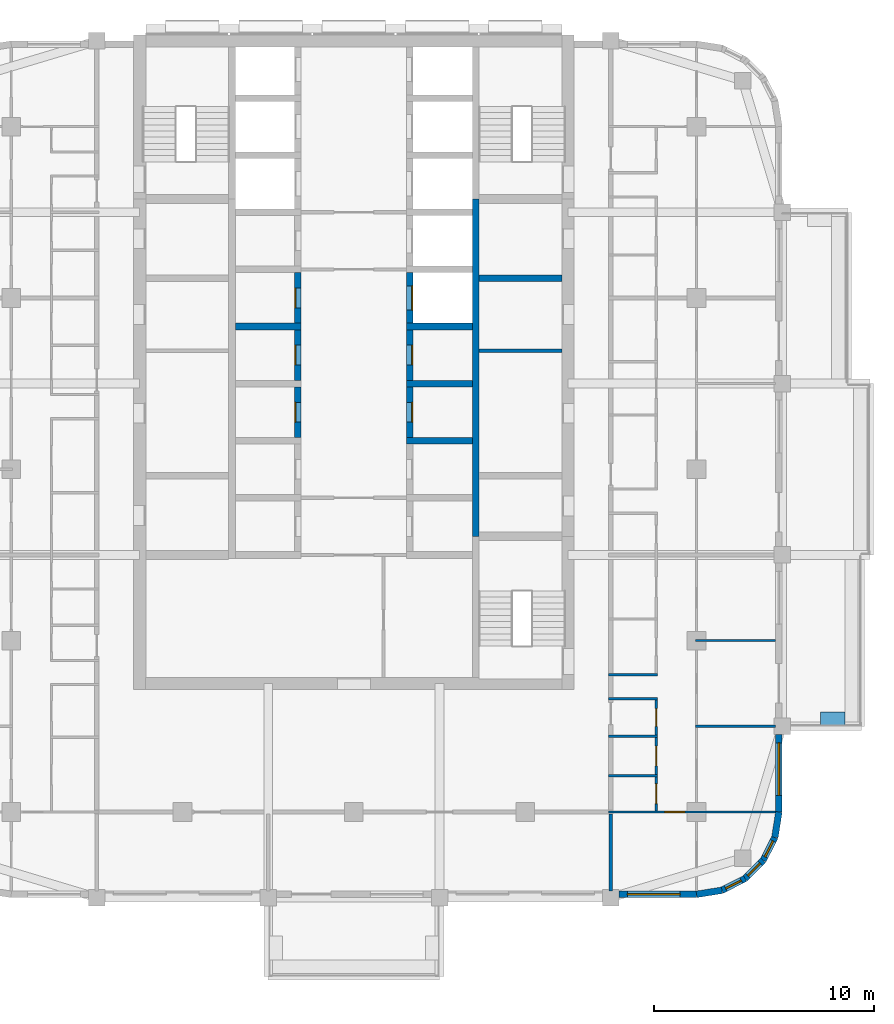
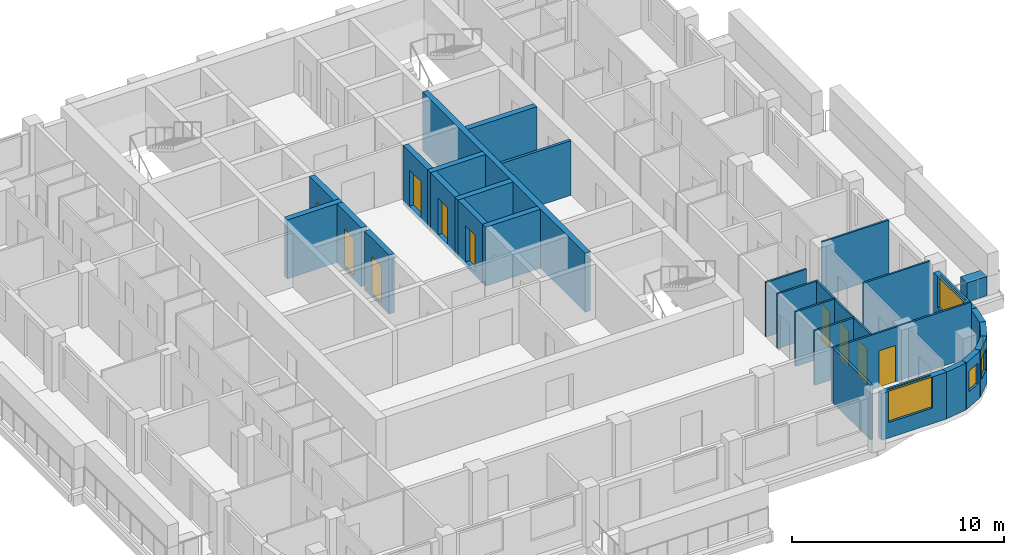
# One storey, part 5 of 13: 30 walls, 10 doors, 5 windows, 15 openings.
"""IFC4 building model written with IfcOpenShell, lengths in metres."""

import ifcopenshell
import ifcopenshell.guid

model = None  # the IFC model being written
_history = None  # IfcOwnerHistory: only IFC2X3 demands one
_inside = {}  # id of a spatial element -> (the spatial element, [elements in it])
_under = {}  # id of a project, library or spatial element -> (it, [spatial elements below it])
_declared = {}  # id of a project -> (the project, [libraries it declares])
_typed = {}  # id of a type object -> (the type object, [elements of that type])
_made_of = {}  # id of a material, layer set ... -> (it, [elements and type objects made of it])


def new_model(schema):
    """Start an empty IFC model of exactly this schema.

    Asked for "IFC4X3", IfcOpenShell would pick the latest addendum, in which some entities
    have other attributes; the version numbers below select the first issue.
    IFC2X3 requires an IfcOwnerHistory on every rooted entity: one is made here for all.
    """
    global model, _history
    if schema == "IFC4X3":
        model = ifcopenshell.file(schema_version=(4, 3, 0, 0))
    else:
        model = ifcopenshell.file(schema=schema)
    _inside.clear()
    _under.clear()
    _declared.clear()
    _typed.clear()
    _made_of.clear()
    _history = None
    if model.schema == "IFC2X3":
        org = make("IfcOrganization", Name="unknown")
        user = make(
            "IfcPersonAndOrganization",
            ThePerson=make("IfcPerson", FamilyName="unknown"),
            TheOrganization=org,
        )
        app = make(
            "IfcApplication",
            ApplicationDeveloper=org,
            Version="unknown",
            ApplicationFullName="unknown",
            ApplicationIdentifier="unknown",
        )
        _history = make(
            "IfcOwnerHistory",
            OwningUser=user,
            OwningApplication=app,
            ChangeAction="ADDED",
            CreationDate=0,
        )
    return model


def make(cls, **values):
    """One entity of the class cls with the attributes given. An attribute that is None is left unset."""
    return model.create_entity(
        cls, **{name: value for name, value in values.items() if value is not None}
    )


def rooted(cls, **values):
    """An entity with a GlobalId (a new one), such as an element, a storey or a relation."""
    return make(cls, GlobalId=ifcopenshell.guid.new(), OwnerHistory=_history, **values)


def si_unit(unit_type, name, prefix=None):
    """IfcSIUnit, for example si_unit("LENGTHUNIT", "METRE", prefix="MILLI")."""
    return make("IfcSIUnit", UnitType=unit_type, Prefix=prefix, Name=name)


def assignment(units):
    """IfcUnitAssignment: the units of a project."""
    return None if units is None else make("IfcUnitAssignment", Units=units)


def point(xyz):
    """IfcCartesianPoint."""
    return None if xyz is None else make("IfcCartesianPoint", Coordinates=xyz)


def direction(xyz):
    """IfcDirection."""
    return None if xyz is None else make("IfcDirection", DirectionRatios=xyz)


def frame(location, z_axis=None, x_axis=None):
    """IfcAxis2Placement3D, a coordinate frame: its origin and axes. An axis left out is left unset."""
    return make(
        "IfcAxis2Placement3D",
        Location=point(location),
        Axis=direction(z_axis),
        RefDirection=direction(x_axis),
    )


def frame_2d(location, x_axis=None):
    """IfcAxis2Placement2D, a coordinate frame in the plane: its origin and x axis."""
    return make(
        "IfcAxis2Placement2D", Location=point(location), RefDirection=direction(x_axis)
    )


def origin():
    """The frame at (0, 0, 0) with its axes left unset."""
    return frame((0.0, 0.0, 0.0))


def place(relative_to, where):
    """IfcLocalPlacement: puts the frame where relative to a parent placement (None: the world)."""
    return make(
        "IfcLocalPlacement", PlacementRelTo=relative_to, RelativePlacement=where
    )


def context(
    kind, dimensions, precision=None, world=None, true_north=None, identifier=None
):
    """IfcGeometricRepresentationContext, for example the 3D "Model" context."""
    return make(
        "IfcGeometricRepresentationContext",
        ContextIdentifier=identifier,
        ContextType=kind,
        CoordinateSpaceDimension=dimensions,
        Precision=precision,
        WorldCoordinateSystem=world,
        TrueNorth=true_north,
    )


def subcontext(parent, identifier, kind, view, scale=None):
    """IfcGeometricRepresentationSubContext, for example "Body" below "Model"."""
    return make(
        "IfcGeometricRepresentationSubContext",
        ContextIdentifier=identifier,
        ContextType=kind,
        ParentContext=parent,
        TargetScale=scale,
        TargetView=view,
    )


def project(units=None, contexts=None):
    """IfcProject with its units and contexts."""
    return rooted(
        "IfcProject",
        Name="project",
        RepresentationContexts=contexts,
        UnitsInContext=assignment(units),
    )


def spatial(cls, under=None, at=None, **own):
    """A site, building, storey or space (cls), placed at a placement, below another one or the project."""
    s = rooted(cls, ObjectPlacement=at, **own)
    if under is not None:
        _under.setdefault(under.id(), (under, []))[1].append(s)
    return s


def profile(cls, at=None, kind="AREA", **sizes):
    """A parametric profile (cls). Its sizes go by their IFC names, for example OverallWidth=200.0."""
    return make(cls, ProfileType=kind, Position=at, **sizes)


def rectangle(**sizes):
    """IfcRectangleProfileDef."""
    return profile("IfcRectangleProfileDef", **sizes)


def extrude(swept, where, along, depth):
    """IfcExtrudedAreaSolid: the profile swept, set in the frame where, extruded along a direction by depth."""
    return make(
        "IfcExtrudedAreaSolid",
        SweptArea=swept,
        Position=where,
        ExtrudedDirection=direction(along),
        Depth=depth,
    )


def shape(context_of_items, identifier, shape_type, items):
    """IfcShapeRepresentation: the items that make up one representation, for example the "Body"."""
    return make(
        "IfcShapeRepresentation",
        ContextOfItems=context_of_items,
        RepresentationIdentifier=identifier,
        RepresentationType=shape_type,
        Items=items,
    )


def material(Name=None, Category=None):
    """IfcMaterial."""
    return make("IfcMaterial", Name=Name, Category=Category)


def layer(
    of_material, thickness, ventilated=None, Name=None, Category=None, Priority=None
):
    """IfcMaterialLayer: one layer of a wall or slab, of a material (None: an air gap)."""
    return make(
        "IfcMaterialLayer",
        Material=of_material,
        LayerThickness=thickness,
        IsVentilated=ventilated,
        Name=Name,
        Category=Category,
        Priority=Priority,
    )


def layer_set(layers, Name=None):
    """IfcMaterialLayerSet."""
    return make("IfcMaterialLayerSet", MaterialLayers=layers, LayerSetName=Name)


def made_of(thing, what):
    """Note that an element or type object is made of a material, layer set ...; save() writes the relation."""
    if what is not None:
        _made_of.setdefault(what.id(), (what, []))[1].append(thing)
    return thing


def type_object(cls, material=None, **own):
    """A type object (cls), such as IfcWallType, which elements share."""
    return made_of(rooted(cls, **own), material)


def element(
    cls,
    number,
    at=None,
    inside=None,
    cuts=None,
    type_object=None,
    material=None,
    context=None,
    identifier="Body",
    shape_type=None,
    held_by="IfcProductDefinitionShape",
    body=None,
    shapes=None,
    **own,
):
    """One element of the class cls, such as IfcWall. Its Tag is "e" and its number.

    at: its placement. inside: the storey or other place that contains it. cuts: it is an
    opening in that element (IfcRelVoidsElement). A single representation is given by context,
    identifier, shape_type and body (its items); several are given by shapes. held_by: the class
    of the entity that holds the representations. save() writes the other relations.
    """
    e = rooted(cls, Tag="e%d" % number, ObjectPlacement=at, **own)
    if body is not None:
        shapes = [shape(context, identifier, shape_type, body)]
    if shapes is not None:
        e.Representation = make(held_by, Representations=shapes)
    if inside is not None:
        _inside.setdefault(inside.id(), (inside, []))[1].append(e)
    if cuts is not None:
        rooted(
            "IfcRelVoidsElement", RelatingBuildingElement=cuts, RelatedOpeningElement=e
        )
    if type_object is not None:
        _typed.setdefault(type_object.id(), (type_object, []))[1].append(e)
    return made_of(e, material)


def fill(opening, filler):
    """IfcRelFillsElement: the door or window that sits in an opening."""
    return rooted(
        "IfcRelFillsElement",
        RelatingOpeningElement=opening,
        RelatedBuildingElement=filler,
    )


def aggregate(whole, parts):
    """IfcRelAggregates: a whole, such as a stair, and the parts it consists of."""
    return rooted("IfcRelAggregates", RelatingObject=whole, RelatedObjects=parts)


def save(model, path):
    """Write the relations noted so far, then the file.

    IfcRelAggregates (storeys below a building ...), IfcRelContainedInSpatialStructure (elements
    in a storey), IfcRelDefinesByType, IfcRelAssociatesMaterial and IfcRelDeclares: one each for
    every whole, place, type object, material and project.
    """
    for whole, parts in _under.values():
        aggregate(whole, parts)
    for where, things in _inside.values():
        rooted(
            "IfcRelContainedInSpatialStructure",
            RelatedElements=things,
            RelatingStructure=where,
        )
    for kind, things in _typed.values():
        rooted("IfcRelDefinesByType", RelatedObjects=things, RelatingType=kind)
    for what, things in _made_of.values():
        rooted("IfcRelAssociatesMaterial", RelatedObjects=things, RelatingMaterial=what)
    for by, libraries in _declared.values():
        rooted("IfcRelDeclares", RelatingContext=by, RelatedDefinitions=libraries)
    model.write(path)


model = new_model("IFC4")

# Units and contexts
model_context = context("Model", 3, precision=1e-05, world=origin(), true_north=direction((0.0, 1.0)))
body_context = subcontext(model_context, "Body", "Model", "MODEL_VIEW")
ifc_project = project(units=[si_unit("LENGTHUNIT", "METRE"), si_unit("AREAUNIT", "SQUARE_METRE"), si_unit("VOLUMEUNIT", "CUBIC_METRE"), si_unit("PLANEANGLEUNIT", "RADIAN"), si_unit("MASSUNIT", "GRAM", prefix="KILO")], contexts=[model_context])

# Site, building, storey
site_placement = place(None, origin())
site = spatial("IfcSite", under=ifc_project, at=site_placement, CompositionType="ELEMENT")
building_placement = place(site_placement, origin())
building = spatial("IfcBuilding", under=site, at=building_placement, Name="Ludao Terraces", CompositionType="ELEMENT")
storey_placement = place(building_placement, frame((0.0, 0.0, 162.199951171875)))
storey = spatial("IfcBuildingStorey", under=building, at=storey_placement, Name="L44", CompositionType="ELEMENT", Elevation=162.199951171875)

# Wall
ifc_material_1 = material(Name="Concrete C40", Category="concrete")
ifc_layer_1 = layer(ifc_material_1, 0.60009765625)
ifc_layer_set_1 = layer_set([ifc_layer_1], Name="ENV Planter trough 600")
wall_type_1 = type_object("IfcWallType", Name="ENV Planter trough 600", PredefinedType="USERDEFINED", material=ifc_layer_set_1)
wall_1_placement = place(storey_placement, frame((107.35009765625, 53.64990234375, 0.0), z_axis=(0.0, 0.0, 1.0), x_axis=(-1.0, 0.0, 0.0)))
element("IfcWall", 1, at=wall_1_placement, inside=storey, type_object=wall_type_1, Name="PL-L44-E1-SA", ObjectType="PLANTER", PredefinedType="USERDEFINED", context=body_context, shape_type="SweptSolid", body=[
    extrude(rectangle(XDim=1.10009765625, YDim=0.60009765625, at=frame_2d((0.550048828125, 0.0))), origin(), (0.0, 0.0, 1.0), 1.10009765625),
])

# Wall, opening, window
ifc_material_2 = material(Name="Granite cladding", Category="masonry")
ifc_layer_2 = layer(ifc_material_2, 0.0400390625, Category="stone")
ifc_material_3 = material(Name="Mineral wool")
ifc_layer_3 = layer(ifc_material_3, 0.06005859375)
ifc_layer_4 = layer(ifc_material_1, 0.199951171875, Category="concrete")
ifc_layer_set_2 = layer_set([ifc_layer_2, ifc_layer_3, ifc_layer_4], Name="ENV Stone-clad wall 300")
wall_type_2 = type_object("IfcWallType", Name="ENV Stone-clad wall 300", PredefinedType="SOLIDWALL", material=ifc_layer_set_2)
wall_2_placement = place(storey_placement, frame((97.074951171875, 45.64990234375, 0.0), z_axis=(0.0, 0.0, 1.0), x_axis=(1.0, 0.0, 0.0)))
wall_2 = element("IfcWall", 2, at=wall_2_placement, inside=storey, type_object=wall_type_2, Name="EW-L44-S5", PredefinedType="SOLIDWALL", context=body_context, shape_type="SweptSolid", body=[
    extrude(rectangle(XDim=3.525146484375, YDim=0.300048828125, at=frame_2d((1.7626953125, 0.0))), origin(), (0.0, 0.0, 1.0), 2.699951171875),
])
opening_1_placement = place(wall_2_placement, frame((0.375, 0.0, 0.89990234375)))
opening_1 = element("IfcOpeningElement", 3, at=opening_1_placement, cuts=wall_2, Name="Opening W1", PredefinedType="OPENING", context=body_context, shape_type="SweptSolid", body=[
    extrude(rectangle(XDim=2.39990234375, YDim=1.800048828125, at=frame_2d((1.199951171875, 0.89990234375))), frame((0.0, 0.16015625, 0.0), z_axis=(0.0, -1.0, 0.0), x_axis=(1.0, 0.0, 0.0)), (0.0, 0.0, 1.0), 0.320068359375),
])
ifc_material_4 = material(Name="Clear glass in aluminium frame", Category="aluminium")
ifc_layer_5 = layer(ifc_material_4, 0.06005859375)
ifc_layer_set_3 = layer_set([ifc_layer_5], Name="ENV Window W1 2400x1800")
window_type_1 = type_object("IfcWindowType", Name="ENV Window W1 2400x1800", PartitioningType="DOUBLE_PANEL_VERTICAL", PredefinedType="WINDOW", material=ifc_layer_set_3)
window_1_placement = place(opening_1_placement, origin())
window_1 = element("IfcWindow", 4, at=window_1_placement, inside=storey, type_object=window_type_1, Name="W-L44-S5-1", OverallHeight=1.800048828125, OverallWidth=2.39990234375, PartitioningType="DOUBLE_PANEL_VERTICAL", PredefinedType="WINDOW", context=body_context, shape_type="SweptSolid", body=[
    extrude(rectangle(XDim=2.39990234375, YDim=1.800048828125, at=frame_2d((1.199951171875, 0.89990234375))), frame((0.0, 0.030029296875, 0.0), z_axis=(0.0, -1.0, 0.0), x_axis=(1.0, 0.0, 0.0)), (0.0, 0.0, 1.0), 0.06005859375),
])
fill(opening_1, window_1)

wall_3_placement = place(storey_placement, frame((104.35009765625, 49.39990234375, 0.0), z_axis=(0.0, 0.0, 1.0), x_axis=(0.0, 1.0, 0.0)))
wall_3 = element("IfcWall", 5, at=wall_3_placement, inside=storey, type_object=wall_type_2, Name="EW-L44-E1", PredefinedType="SOLIDWALL", context=body_context, shape_type="SweptSolid", body=[
    extrude(rectangle(XDim=3.525146484375, YDim=0.300048828125, at=frame_2d((1.7626953125, 0.0))), origin(), (0.0, 0.0, 1.0), 2.699951171875),
])
opening_2_placement = place(wall_3_placement, frame((0.75, 0.0, 0.89990234375)))
opening_2 = element("IfcOpeningElement", 6, at=opening_2_placement, cuts=wall_3, Name="Opening W1", PredefinedType="OPENING", context=body_context, shape_type="SweptSolid", body=[
    extrude(rectangle(XDim=2.39990234375, YDim=1.800048828125, at=frame_2d((1.199951171875, 0.89990234375))), frame((0.0, 0.16015625, 0.0), z_axis=(0.0, -1.0, 0.0), x_axis=(1.0, 0.0, 0.0)), (0.0, 0.0, 1.0), 0.320068359375),
])
window_2_placement = place(opening_2_placement, origin())
window_2 = element("IfcWindow", 7, at=window_2_placement, inside=storey, type_object=window_type_1, Name="W-L44-E1-1", OverallHeight=1.800048828125, OverallWidth=2.39990234375, PartitioningType="DOUBLE_PANEL_VERTICAL", PredefinedType="WINDOW", context=body_context, shape_type="SweptSolid", body=[
    extrude(rectangle(XDim=2.39990234375, YDim=1.800048828125, at=frame_2d((1.199951171875, 0.89990234375))), frame((0.0, 0.030029296875, 0.0), z_axis=(0.0, -1.0, 0.0), x_axis=(1.0, 0.0, 0.0)), (0.0, 0.0, 1.0), 0.06005859375),
])
fill(opening_2, window_2)

# Wall
wall_4_placement = place(storey_placement, frame((100.60009765625, 45.64990234375, 0.0), z_axis=(0.0, 0.0, 1.0), x_axis=(0.987678452879, 0.156496880861, 0.0)))
element("IfcWall", 8, at=wall_4_placement, inside=storey, type_object=wall_type_2, Name="EW-L44-SE1", PredefinedType="SOLIDWALL", context=body_context, shape_type="SweptSolid", body=[
    extrude(rectangle(XDim=1.173095703125, YDim=0.300048828125, at=frame_2d((0.58642578125, 0.0))), origin(), (0.0, 0.0, 1.0), 2.699951171875),
])

# Wall, opening, window
wall_5_placement = place(storey_placement, frame((101.7587890625, 45.83349609375, 0.0), z_axis=(0.0, 0.0, 1.0), x_axis=(0.890988677504, 0.454025524128, 0.0)))
wall_5 = element("IfcWall", 9, at=wall_5_placement, inside=storey, type_object=wall_type_2, Name="EW-L44-SE2", PredefinedType="SOLIDWALL", context=body_context, shape_type="SweptSolid", body=[
    extrude(rectangle(XDim=1.17333984375, YDim=0.300048828125, at=frame_2d((0.586669921875, 0.0))), origin(), (0.0, 0.0, 1.0), 2.699951171875),
])
opening_3_placement = place(wall_5_placement, frame((0.1865234375, 0.0, 0.89990234375)))
opening_3 = element("IfcOpeningElement", 10, at=opening_3_placement, cuts=wall_5, Name="Opening W3", PredefinedType="OPENING", context=body_context, shape_type="SweptSolid", body=[
    extrude(rectangle(XDim=0.800048828125, YDim=1.199951171875, at=frame_2d((0.39990234375, 0.60009765625))), frame((0.0, 0.16015625, 0.0), z_axis=(0.0, -1.0, 0.0), x_axis=(1.0, 0.0, 0.0)), (0.0, 0.0, 1.0), 0.320068359375),
])
ifc_layer_6 = layer(ifc_material_4, 0.06005859375)
ifc_layer_set_4 = layer_set([ifc_layer_6], Name="ENV Window W3 800x1200")
window_type_2 = type_object("IfcWindowType", Name="ENV Window W3 800x1200", PartitioningType="SINGLE_PANEL", PredefinedType="WINDOW", material=ifc_layer_set_4)
window_3_placement = place(opening_3_placement, origin())
window_3 = element("IfcWindow", 11, at=window_3_placement, inside=storey, type_object=window_type_2, Name="W-L44-SE2", OverallHeight=1.199951171875, OverallWidth=0.800048828125, PartitioningType="SINGLE_PANEL", PredefinedType="WINDOW", context=body_context, shape_type="SweptSolid", body=[
    extrude(rectangle(XDim=0.800048828125, YDim=1.199951171875, at=frame_2d((0.39990234375, 0.60009765625))), frame((0.0, 0.030029296875, 0.0), z_axis=(0.0, -1.0, 0.0), x_axis=(1.0, 0.0, 0.0)), (0.0, 0.0, 1.0), 0.06005859375),
])
fill(opening_3, window_3)

wall_6_placement = place(storey_placement, frame((102.80419921875, 46.3662109375, 0.0), z_axis=(0.0, 0.0, 1.0), x_axis=(0.707106781187, 0.707106781187, 0.0)))
wall_6 = element("IfcWall", 12, at=wall_6_placement, inside=storey, type_object=wall_type_2, Name="EW-L44-SE3", PredefinedType="SOLIDWALL", context=body_context, shape_type="SweptSolid", body=[
    extrude(rectangle(XDim=1.173095703125, YDim=0.300048828125, at=frame_2d((0.58642578125, 0.0))), origin(), (0.0, 0.0, 1.0), 2.699951171875),
])
opening_4_placement = place(wall_6_placement, frame((0.1865234375, 0.0, 0.89990234375)))
opening_4 = element("IfcOpeningElement", 13, at=opening_4_placement, cuts=wall_6, Name="Opening W3", PredefinedType="OPENING", context=body_context, shape_type="SweptSolid", body=[
    extrude(rectangle(XDim=0.800048828125, YDim=1.199951171875, at=frame_2d((0.39990234375, 0.60009765625))), frame((0.0, 0.16015625, 0.0), z_axis=(0.0, -1.0, 0.0), x_axis=(1.0, 0.0, 0.0)), (0.0, 0.0, 1.0), 0.320068359375),
])
window_4_placement = place(opening_4_placement, origin())
window_4 = element("IfcWindow", 14, at=window_4_placement, inside=storey, type_object=window_type_2, Name="W-L44-SE3", OverallHeight=1.199951171875, OverallWidth=0.800048828125, PartitioningType="SINGLE_PANEL", PredefinedType="WINDOW", context=body_context, shape_type="SweptSolid", body=[
    extrude(rectangle(XDim=0.800048828125, YDim=1.199951171875, at=frame_2d((0.39990234375, 0.60009765625))), frame((0.0, 0.030029296875, 0.0), z_axis=(0.0, -1.0, 0.0), x_axis=(1.0, 0.0, 0.0)), (0.0, 0.0, 1.0), 0.06005859375),
])
fill(opening_4, window_4)

wall_7_placement = place(storey_placement, frame((103.6337890625, 47.19580078125, 0.0), z_axis=(0.0, 0.0, 1.0), x_axis=(0.454025524128, 0.890988677504, 0.0)))
wall_7 = element("IfcWall", 15, at=wall_7_placement, inside=storey, type_object=wall_type_2, Name="EW-L44-SE4", PredefinedType="SOLIDWALL", context=body_context, shape_type="SweptSolid", body=[
    extrude(rectangle(XDim=1.17333984375, YDim=0.300048828125, at=frame_2d((0.586669921875, 0.0))), origin(), (0.0, 0.0, 1.0), 2.699951171875),
])
opening_5_placement = place(wall_7_placement, frame((0.1865234375, 0.0, 0.89990234375)))
opening_5 = element("IfcOpeningElement", 16, at=opening_5_placement, cuts=wall_7, Name="Opening W3", PredefinedType="OPENING", context=body_context, shape_type="SweptSolid", body=[
    extrude(rectangle(XDim=0.800048828125, YDim=1.199951171875, at=frame_2d((0.39990234375, 0.60009765625))), frame((0.0, 0.16015625, 0.0), z_axis=(0.0, -1.0, 0.0), x_axis=(1.0, 0.0, 0.0)), (0.0, 0.0, 1.0), 0.320068359375),
])
window_5_placement = place(opening_5_placement, origin())
window_5 = element("IfcWindow", 17, at=window_5_placement, inside=storey, type_object=window_type_2, Name="W-L44-SE4", OverallHeight=1.199951171875, OverallWidth=0.800048828125, PartitioningType="SINGLE_PANEL", PredefinedType="WINDOW", context=body_context, shape_type="SweptSolid", body=[
    extrude(rectangle(XDim=0.800048828125, YDim=1.199951171875, at=frame_2d((0.39990234375, 0.60009765625))), frame((0.0, 0.030029296875, 0.0), z_axis=(0.0, -1.0, 0.0), x_axis=(1.0, 0.0, 0.0)), (0.0, 0.0, 1.0), 0.06005859375),
])
fill(opening_5, window_5)

# Walls
wall_8_placement = place(storey_placement, frame((104.16650390625, 48.2412109375, 0.0), z_axis=(0.0, 0.0, 1.0), x_axis=(0.156496880861, 0.987678452879, 0.0)))
element("IfcWall", 18, at=wall_8_placement, inside=storey, type_object=wall_type_2, Name="EW-L44-SE5", PredefinedType="SOLIDWALL", context=body_context, shape_type="SweptSolid", body=[
    extrude(rectangle(XDim=1.173095703125, YDim=0.300048828125, at=frame_2d((0.58642578125, 0.0))), origin(), (0.0, 0.0, 1.0), 2.699951171875),
])
ifc_material_5 = material(Name="Fire-rated gypsum plasterboard", Category="gypsum")
ifc_layer_7 = layer(ifc_material_5, 0.012451171875, Category="gypsum")
ifc_layer_8 = layer(ifc_material_3, 0.10009765625, Name="insulation")
ifc_material_6 = material(Name="Steel Q235", Category="steel")
ifc_layer_9 = layer(ifc_material_6, 0.02490234375, Name="stud")
ifc_layer_10 = layer(ifc_material_5, 0.012451171875, Category="gypsum")
ifc_layer_set_5 = layer_set([ifc_layer_7, ifc_layer_8, ifc_layer_9, ifc_layer_10], Name="INT Core partition 150")
wall_type_3 = type_object("IfcWallType", Name="INT Core partition 150", PredefinedType="PARTITIONING", material=ifc_layer_set_5)
wall_9_placement = place(storey_placement, frame((90.7001953125, 70.39990234375, 0.0), z_axis=(0.0, 0.0, 1.0), x_axis=(1.0, 0.0, 0.0)))
element("IfcWall", 19, at=wall_9_placement, inside=storey, type_object=wall_type_3, Name="PW-L44-PW030", PredefinedType="PARTITIONING", context=body_context, shape_type="SweptSolid", body=[
    extrude(rectangle(XDim=3.77490234375, YDim=0.14990234375, at=frame_2d((1.887451171875, 0.0))), origin(), (0.0, 0.0, 1.0), 3.150146484375),
])

# Wall, opening, door
ifc_material_7 = material(Name="Gypsum plasterboard", Category="gypsum")
ifc_layer_11 = layer(ifc_material_7, 0.012451171875, Category="gypsum")
ifc_layer_12 = layer(ifc_material_3, 0.06005859375, Name="insulation")
ifc_layer_13 = layer(ifc_material_6, 0.014892578125, Name="stud")
ifc_layer_14 = layer(ifc_material_7, 0.012451171875, Category="gypsum")
ifc_layer_set_6 = layer_set([ifc_layer_11, ifc_layer_12, ifc_layer_13, ifc_layer_14], Name="INT Partition 100")
wall_type_4 = type_object("IfcWallType", Name="INT Partition 100", PredefinedType="PARTITIONING", material=ifc_layer_set_6)
wall_10_placement = place(storey_placement, frame((96.60009765625, 49.39990234375, 0.0), z_axis=(0.0, 0.0, 1.0), x_axis=(1.0, 0.0, 0.0)))
wall_10 = element("IfcWall", 20, at=wall_10_placement, inside=storey, type_object=wall_type_4, Name="PW-L44-PW002", PredefinedType="PARTITIONING", context=body_context, shape_type="SweptSolid", body=[
    extrude(rectangle(XDim=7.60009765625, YDim=0.10009765625, at=frame_2d((3.800048828125, 0.0))), origin(), (0.0, 0.0, 1.0), 3.150146484375),
])
opening_6_placement = place(wall_10_placement, frame((2.56005859375, 0.0, 0.0)))
opening_6 = element("IfcOpeningElement", 21, at=opening_6_placement, cuts=wall_10, Name="Opening R15-006", PredefinedType="OPENING", context=body_context, shape_type="SweptSolid", body=[
    extrude(rectangle(XDim=0.89990234375, YDim=2.10009765625, at=frame_2d((0.449951171875, 1.050048828125))), frame((0.0, 0.06005859375, 0.0), z_axis=(0.0, -1.0, 0.0), x_axis=(1.0, 0.0, 0.0)), (0.0, 0.0, 1.0), 0.1201171875),
])
ifc_material_8 = material(Name="Timber door leaf", Category="wood")
door_type_1 = type_object("IfcDoorType", Name="INT Room door 900", OperationType="SINGLE_SWING_LEFT", PredefinedType="DOOR", material=ifc_material_8)
door_1_placement = place(opening_6_placement, origin())
door_1 = element("IfcDoor", 22, at=door_1_placement, inside=storey, type_object=door_type_1, Name="DOOR 006", OperationType="SINGLE_SWING_LEFT", OverallHeight=2.10009765625, OverallWidth=0.89990234375, PredefinedType="DOOR", context=body_context, shape_type="SweptSolid", body=[
    extrude(rectangle(XDim=0.89990234375, YDim=2.10009765625, at=frame_2d((0.449951171875, 1.050048828125))), frame((0.0, 0.02490234375, 0.0), z_axis=(0.0, -1.0, 0.0), x_axis=(1.0, 0.0, 0.0)), (0.0, 0.0, 1.0), 0.050048828125),
])
fill(opening_6, door_1)

# Walls
for number, where, z_axis, x_axis, name in (
    (23, (96.60009765625, 51.050048828125, 0.0), (0.0, 0.0, 1.0), (1.0, 0.0, 0.0), "PW-L44-PW003"),
    (24, (96.60009765625, 52.85009765625, 0.0), (0.0, 0.0, 1.0), (1.0, 0.0, 0.0), "PW-L44-PW005"),
):
    element("IfcWall", number, at=place(storey_placement, frame(where, z_axis=z_axis, x_axis=x_axis)), inside=storey, type_object=wall_type_4, Name=name, PredefinedType="PARTITIONING", context=body_context, shape_type="SweptSolid", body=[
        extrude(rectangle(XDim=2.219970703125, YDim=0.10009765625, at=frame_2d((1.10986328125, 0.0))), origin(), (0.0, 0.0, 1.0), 3.150146484375),
    ])
wall_11_placement = place(storey_placement, frame((100.550048828125, 53.300048828125, 0.0), z_axis=(0.0, 0.0, 1.0), x_axis=(1.0, 0.0, 0.0)))
element("IfcWall", 25, at=wall_11_placement, inside=storey, type_object=wall_type_4, Name="PW-L44-PW007", PredefinedType="PARTITIONING", context=body_context, shape_type="SweptSolid", body=[
    extrude(rectangle(XDim=3.650146484375, YDim=0.10009765625, at=frame_2d((1.8251953125, 0.0))), origin(), (0.0, 0.0, 1.0), 3.150146484375),
])
for number, where, z_axis, x_axis, name in (
    (26, (96.60009765625, 54.550048828125, 0.0), (0.0, 0.0, 1.0), (1.0, 0.0, 0.0), "PW-L44-PW008"),
    (27, (96.60009765625, 55.64990234375, 0.0), (0.0, 0.0, 1.0), (1.0, 0.0, 0.0), "PW-L44-PW010"),
):
    element("IfcWall", number, at=place(storey_placement, frame(where, z_axis=z_axis, x_axis=x_axis)), inside=storey, type_object=wall_type_4, Name=name, PredefinedType="PARTITIONING", context=body_context, shape_type="SweptSolid", body=[
        extrude(rectangle(XDim=2.219970703125, YDim=0.10009765625, at=frame_2d((1.10986328125, 0.0))), origin(), (0.0, 0.0, 1.0), 3.150146484375),
    ])
wall_12_placement = place(storey_placement, frame((100.550048828125, 57.199951171875, 0.0), z_axis=(0.0, 0.0, 1.0), x_axis=(1.0, 0.0, 0.0)))
element("IfcWall", 28, at=wall_12_placement, inside=storey, type_object=wall_type_4, Name="PW-L44-PW012", PredefinedType="PARTITIONING", context=body_context, shape_type="SweptSolid", body=[
    extrude(rectangle(XDim=3.650146484375, YDim=0.10009765625, at=frame_2d((1.8251953125, 0.0))), origin(), (0.0, 0.0, 1.0), 3.150146484375),
])

# Wall, openings, doors
wall_13_placement = place(storey_placement, frame((98.77001953125, 49.4501953125, 0.0), z_axis=(0.0, 0.0, 1.0), x_axis=(0.0, 1.0, 0.0)))
wall_13 = element("IfcWall", 29, at=wall_13_placement, inside=storey, type_object=wall_type_4, Name="PW-L44-PW057", PredefinedType="PARTITIONING", context=body_context, shape_type="SweptSolid", body=[
    extrude(rectangle(XDim=5.0498046875, YDim=0.10009765625, at=frame_2d((2.52490234375, 0.0))), origin(), (0.0, 0.0, 1.0), 3.150146484375),
])
opening_7_placement = place(wall_13_placement, frame((0.324951171875, 0.0, 0.0)))
opening_7 = element("IfcOpeningElement", 30, at=opening_7_placement, cuts=wall_13, Name="Opening R15-007", PredefinedType="OPENING", context=body_context, shape_type="SweptSolid", body=[
    extrude(rectangle(XDim=0.89990234375, YDim=2.10009765625, at=frame_2d((0.449951171875, 1.050048828125))), frame((0.0, 0.06005859375, 0.0), z_axis=(0.0, -1.0, 0.0), x_axis=(1.0, 0.0, 0.0)), (0.0, 0.0, 1.0), 0.1201171875),
])
opening_8_placement = place(wall_13_placement, frame((2.0498046875, 0.0, 0.0)))
opening_8 = element("IfcOpeningElement", 31, at=opening_8_placement, cuts=wall_13, Name="Opening R15-011", PredefinedType="OPENING", context=body_context, shape_type="SweptSolid", body=[
    extrude(rectangle(XDim=0.89990234375, YDim=2.10009765625, at=frame_2d((0.449951171875, 1.050048828125))), frame((0.0, 0.06005859375, 0.0), z_axis=(0.0, -1.0, 0.0), x_axis=(1.0, 0.0, 0.0)), (0.0, 0.0, 1.0), 0.1201171875),
])
opening_9_placement = place(wall_13_placement, frame((3.849853515625, 0.0, 0.0)))
opening_9 = element("IfcOpeningElement", 32, at=opening_9_placement, cuts=wall_13, Name="Opening R15-012", PredefinedType="OPENING", context=body_context, shape_type="SweptSolid", body=[
    extrude(rectangle(XDim=0.800048828125, YDim=2.10009765625, at=frame_2d((0.39990234375, 1.050048828125))), frame((0.0, 0.06005859375, 0.0), z_axis=(0.0, -1.0, 0.0), x_axis=(1.0, 0.0, 0.0)), (0.0, 0.0, 1.0), 0.1201171875),
])
door_type_2 = type_object("IfcDoorType", Name="INT Bathroom door 900", OperationType="SINGLE_SWING_LEFT", PredefinedType="DOOR", material=ifc_material_8)
door_2_placement = place(opening_7_placement, origin())
door_2 = element("IfcDoor", 33, at=door_2_placement, inside=storey, type_object=door_type_2, Name="DOOR 007", OperationType="SINGLE_SWING_LEFT", OverallHeight=2.10009765625, OverallWidth=0.89990234375, PredefinedType="DOOR", context=body_context, shape_type="SweptSolid", body=[
    extrude(rectangle(XDim=0.89990234375, YDim=2.10009765625, at=frame_2d((0.449951171875, 1.050048828125))), frame((0.0, 0.02490234375, 0.0), z_axis=(0.0, -1.0, 0.0), x_axis=(1.0, 0.0, 0.0)), (0.0, 0.0, 1.0), 0.050048828125),
])
fill(opening_7, door_2)
door_3_placement = place(opening_8_placement, origin())
door_3 = element("IfcDoor", 34, at=door_3_placement, inside=storey, type_object=door_type_2, Name="DOOR 011", OperationType="SINGLE_SWING_LEFT", OverallHeight=2.10009765625, OverallWidth=0.89990234375, PredefinedType="DOOR", context=body_context, shape_type="SweptSolid", body=[
    extrude(rectangle(XDim=0.89990234375, YDim=2.10009765625, at=frame_2d((0.449951171875, 1.050048828125))), frame((0.0, 0.02490234375, 0.0), z_axis=(0.0, -1.0, 0.0), x_axis=(1.0, 0.0, 0.0)), (0.0, 0.0, 1.0), 0.050048828125),
])
fill(opening_8, door_3)
door_type_3 = type_object("IfcDoorType", Name="INT Store door 800", OperationType="SINGLE_SWING_LEFT", PredefinedType="DOOR", material=ifc_material_8)
door_4_placement = place(opening_9_placement, origin())
door_4 = element("IfcDoor", 35, at=door_4_placement, inside=storey, type_object=door_type_3, Name="DOOR 012", OperationType="SINGLE_SWING_RIGHT", OverallHeight=2.10009765625, OverallWidth=0.800048828125, PredefinedType="DOOR", context=body_context, shape_type="SweptSolid", body=[
    extrude(rectangle(XDim=0.800048828125, YDim=2.10009765625, at=frame_2d((0.39990234375, 1.050048828125))), frame((0.0, 0.02490234375, 0.0), z_axis=(0.0, -1.0, 0.0), x_axis=(1.0, 0.0, 0.0)), (0.0, 0.0, 1.0), 0.050048828125),
])
fill(opening_9, door_4)

# Walls
ifc_material_9 = material(Name="Autoclaved aerated concrete block B06 A3.5", Category="concrete")
ifc_layer_15 = layer(ifc_material_9, 0.14990234375)
ifc_layer_set_7 = layer_set([ifc_layer_15], Name="INT Party wall 150")
wall_type_5 = type_object("IfcWallType", Name="INT Party wall 150", PredefinedType="PARTITIONING", material=ifc_layer_set_7)
wall_14_placement = place(storey_placement, frame((96.699951171875, 45.800048828125, 0.0), z_axis=(0.0, 0.0, 1.0), x_axis=(0.0, 1.0, 0.0)))
element("IfcWall", 36, at=wall_14_placement, inside=storey, type_object=wall_type_5, Name="PW-L44-PW055", PredefinedType="PARTITIONING", context=body_context, shape_type="SweptSolid", body=[
    extrude(rectangle(XDim=3.5, YDim=0.14990234375, at=frame_2d((1.75, 0.0))), origin(), (0.0, 0.0, 1.0), 3.150146484375),
])
ifc_material_10 = material(Name="Concrete C55", Category="concrete")
ifc_layer_16 = layer(ifc_material_10, 0.300048828125)
ifc_layer_set_8 = layer_set([ifc_layer_16], Name="Shaft wall 300 C55")
wall_type_6 = type_object("IfcWallType", Name="Shaft wall 300 C55", PredefinedType="SOLIDWALL", material=ifc_layer_set_8)
wall_15_placement = place(storey_placement, frame((90.550048828125, 61.949951171875, -0.25), z_axis=(0.0, 0.0, 1.0), x_axis=(0.0, 1.0, 0.0)))
element("IfcWall", 37, at=wall_15_placement, inside=storey, type_object=wall_type_6, Name="Core wall L44 back-E", PredefinedType="SOLIDWALL", context=body_context, shape_type="SweptSolid", body=[
    extrude(rectangle(XDim=15.35009765625, YDim=0.300048828125, at=frame_2d((7.675048828125, 0.0))), origin(), (0.0, 0.0, 1.0), 3.400146484375),
])

# Wall, opening, door
wall_16_placement = place(storey_placement, frame((82.449951171875, 66.449951171875, -0.25), z_axis=(0.0, 0.0, 1.0), x_axis=(0.0, 1.0, 0.0)))
wall_16 = element("IfcWall", 38, at=wall_16_placement, inside=storey, type_object=wall_type_6, Name="Core wall L44 front-W3", PredefinedType="SOLIDWALL", context=body_context, shape_type="SweptSolid", body=[
    extrude(rectangle(XDim=2.300048828125, YDim=0.300048828125, at=frame_2d((1.14990234375, 0.0))), origin(), (0.0, 0.0, 1.0), 3.400146484375),
])
opening_10_placement = place(wall_16_placement, frame((0.699951171875, 0.0, 0.25)))
opening_10 = element("IfcOpeningElement", 39, at=opening_10_placement, cuts=wall_16, Name="Opening R15-044", PredefinedType="OPENING", context=body_context, shape_type="SweptSolid", body=[
    extrude(rectangle(XDim=0.89990234375, YDim=2.10009765625, at=frame_2d((0.449951171875, 1.050048828125))), frame((0.0, 0.16015625, 0.0), z_axis=(0.0, -1.0, 0.0), x_axis=(1.0, 0.0, 0.0)), (0.0, 0.0, 1.0), 0.320068359375),
])
door_5_placement = place(opening_10_placement, origin())
door_5 = element("IfcDoor", 40, at=door_5_placement, inside=storey, type_object=door_type_1, Name="DOOR 044", OperationType="SINGLE_SWING_LEFT", OverallHeight=2.10009765625, OverallWidth=0.89990234375, PredefinedType="DOOR", context=body_context, shape_type="SweptSolid", body=[
    extrude(rectangle(XDim=0.89990234375, YDim=2.10009765625, at=frame_2d((0.449951171875, 1.050048828125))), frame((0.0, 0.13525390625, 0.0), z_axis=(0.0, -1.0, 0.0), x_axis=(1.0, 0.0, 0.0)), (0.0, 0.0, 1.0), 0.050048828125),
])
fill(opening_10, door_5)

wall_17_placement = place(storey_placement, frame((82.449951171875, 69.050048828125, -0.25), z_axis=(0.0, 0.0, 1.0), x_axis=(0.0, 1.0, 0.0)))
wall_17 = element("IfcWall", 41, at=wall_17_placement, inside=storey, type_object=wall_type_6, Name="Core wall L44 front-W4", PredefinedType="SOLIDWALL", context=body_context, shape_type="SweptSolid", body=[
    extrude(rectangle(XDim=2.300048828125, YDim=0.300048828125, at=frame_2d((1.14990234375, 0.0))), origin(), (0.0, 0.0, 1.0), 3.400146484375),
])
opening_11_placement = place(wall_17_placement, frame((0.699951171875, 0.0, 0.25)))
opening_11 = element("IfcOpeningElement", 42, at=opening_11_placement, cuts=wall_17, Name="Opening R15-050", PredefinedType="OPENING", context=body_context, shape_type="SweptSolid", body=[
    extrude(rectangle(XDim=0.89990234375, YDim=2.10009765625, at=frame_2d((0.449951171875, 1.050048828125))), frame((0.0, 0.16015625, 0.0), z_axis=(0.0, -1.0, 0.0), x_axis=(1.0, 0.0, 0.0)), (0.0, 0.0, 1.0), 0.320068359375),
])
door_6_placement = place(opening_11_placement, origin())
door_6 = element("IfcDoor", 43, at=door_6_placement, inside=storey, type_object=door_type_1, Name="DOOR 050", OperationType="SINGLE_SWING_RIGHT", OverallHeight=2.10009765625, OverallWidth=0.89990234375, PredefinedType="DOOR", context=body_context, shape_type="SweptSolid", body=[
    extrude(rectangle(XDim=0.89990234375, YDim=2.10009765625, at=frame_2d((0.449951171875, 1.050048828125))), frame((0.0, 0.13525390625, 0.0), z_axis=(0.0, -1.0, 0.0), x_axis=(1.0, 0.0, 0.0)), (0.0, 0.0, 1.0), 0.050048828125),
])
fill(opening_11, door_6)

# Wall
wall_18_placement = place(storey_placement, frame((79.60009765625, 71.5, -0.25), z_axis=(0.0, 0.0, 1.0), x_axis=(1.0, 0.0, 0.0)))
element("IfcWall", 44, at=wall_18_placement, inside=storey, type_object=wall_type_6, Name="Core wall L44 div-W5", PredefinedType="SOLIDWALL", context=body_context, shape_type="SweptSolid", body=[
    extrude(rectangle(XDim=3.0, YDim=0.300048828125, at=frame_2d((1.5, 0.0))), origin(), (0.0, 0.0, 1.0), 3.400146484375),
])

# Wall, opening, door
wall_19_placement = place(storey_placement, frame((82.449951171875, 71.64990234375, -0.25), z_axis=(0.0, 0.0, 1.0), x_axis=(0.0, 1.0, 0.0)))
wall_19 = element("IfcWall", 45, at=wall_19_placement, inside=storey, type_object=wall_type_6, Name="Core wall L44 front-W5", PredefinedType="SOLIDWALL", context=body_context, shape_type="SweptSolid", body=[
    extrude(rectangle(XDim=2.300048828125, YDim=0.300048828125, at=frame_2d((1.14990234375, 0.0))), origin(), (0.0, 0.0, 1.0), 3.400146484375),
])
opening_12_placement = place(wall_19_placement, frame((0.699951171875, 0.0, 0.25)))
opening_12 = element("IfcOpeningElement", 46, at=opening_12_placement, cuts=wall_19, Name="Opening R15-057", PredefinedType="OPENING", context=body_context, shape_type="SweptSolid", body=[
    extrude(rectangle(XDim=0.89990234375, YDim=2.10009765625, at=frame_2d((0.449951171875, 1.050048828125))), frame((0.0, 0.16015625, 0.0), z_axis=(0.0, -1.0, 0.0), x_axis=(1.0, 0.0, 0.0)), (0.0, 0.0, 1.0), 0.320068359375),
])
door_7_placement = place(opening_12_placement, origin())
door_7 = element("IfcDoor", 47, at=door_7_placement, inside=storey, type_object=door_type_1, Name="DOOR 057", OperationType="SINGLE_SWING_LEFT", OverallHeight=2.10009765625, OverallWidth=0.89990234375, PredefinedType="DOOR", context=body_context, shape_type="SweptSolid", body=[
    extrude(rectangle(XDim=0.89990234375, YDim=2.10009765625, at=frame_2d((0.449951171875, 1.050048828125))), frame((0.0, 0.13525390625, 0.0), z_axis=(0.0, -1.0, 0.0), x_axis=(1.0, 0.0, 0.0)), (0.0, 0.0, 1.0), 0.050048828125),
])
fill(opening_12, door_7)

# Wall
wall_20_placement = place(storey_placement, frame((87.39990234375, 66.300048828125, -0.25), z_axis=(0.0, 0.0, 1.0), x_axis=(1.0, 0.0, 0.0)))
element("IfcWall", 48, at=wall_20_placement, inside=storey, type_object=wall_type_6, Name="Core wall L44 div-E3", PredefinedType="SOLIDWALL", context=body_context, shape_type="SweptSolid", body=[
    extrude(rectangle(XDim=3.0, YDim=0.300048828125, at=frame_2d((1.5, 0.0))), origin(), (0.0, 0.0, 1.0), 3.400146484375),
])

# Wall, opening, door
wall_21_placement = place(storey_placement, frame((87.550048828125, 66.449951171875, -0.25), z_axis=(0.0, 0.0, 1.0), x_axis=(0.0, 1.0, 0.0)))
wall_21 = element("IfcWall", 49, at=wall_21_placement, inside=storey, type_object=wall_type_6, Name="Core wall L44 front-E3", PredefinedType="SOLIDWALL", context=body_context, shape_type="SweptSolid", body=[
    extrude(rectangle(XDim=2.300048828125, YDim=0.300048828125, at=frame_2d((1.14990234375, 0.0))), origin(), (0.0, 0.0, 1.0), 3.400146484375),
])
opening_13_placement = place(wall_21_placement, frame((0.699951171875, 0.0, 0.25)))
opening_13 = element("IfcOpeningElement", 50, at=opening_13_placement, cuts=wall_21, Name="Opening R15-045", PredefinedType="OPENING", context=body_context, shape_type="SweptSolid", body=[
    extrude(rectangle(XDim=0.89990234375, YDim=2.10009765625, at=frame_2d((0.449951171875, 1.050048828125))), frame((0.0, 0.16015625, 0.0), z_axis=(0.0, -1.0, 0.0), x_axis=(1.0, 0.0, 0.0)), (0.0, 0.0, 1.0), 0.320068359375),
])
door_8_placement = place(opening_13_placement, origin())
door_8 = element("IfcDoor", 51, at=door_8_placement, inside=storey, type_object=door_type_1, Name="DOOR 045", OperationType="SINGLE_SWING_RIGHT", OverallHeight=2.10009765625, OverallWidth=0.89990234375, PredefinedType="DOOR", context=body_context, shape_type="SweptSolid", body=[
    extrude(rectangle(XDim=0.89990234375, YDim=2.10009765625, at=frame_2d((0.449951171875, 1.050048828125))), frame((0.0, -0.0849609375, 0.0), z_axis=(0.0, -1.0, 0.0), x_axis=(1.0, 0.0, 0.0)), (0.0, 0.0, 1.0), 0.050048828125),
])
fill(opening_13, door_8)

# Wall
wall_22_placement = place(storey_placement, frame((87.39990234375, 68.89990234375, -0.25), z_axis=(0.0, 0.0, 1.0), x_axis=(1.0, 0.0, 0.0)))
element("IfcWall", 52, at=wall_22_placement, inside=storey, type_object=wall_type_6, Name="Core wall L44 div-E4", PredefinedType="SOLIDWALL", context=body_context, shape_type="SweptSolid", body=[
    extrude(rectangle(XDim=3.0, YDim=0.300048828125, at=frame_2d((1.5, 0.0))), origin(), (0.0, 0.0, 1.0), 3.400146484375),
])

# Wall, opening, door
wall_23_placement = place(storey_placement, frame((87.550048828125, 69.050048828125, -0.25), z_axis=(0.0, 0.0, 1.0), x_axis=(0.0, 1.0, 0.0)))
wall_23 = element("IfcWall", 53, at=wall_23_placement, inside=storey, type_object=wall_type_6, Name="Core wall L44 front-E4", PredefinedType="SOLIDWALL", context=body_context, shape_type="SweptSolid", body=[
    extrude(rectangle(XDim=2.300048828125, YDim=0.300048828125, at=frame_2d((1.14990234375, 0.0))), origin(), (0.0, 0.0, 1.0), 3.400146484375),
])
opening_14_placement = place(wall_23_placement, frame((0.699951171875, 0.0, 0.25)))
opening_14 = element("IfcOpeningElement", 54, at=opening_14_placement, cuts=wall_23, Name="Opening R15-051", PredefinedType="OPENING", context=body_context, shape_type="SweptSolid", body=[
    extrude(rectangle(XDim=0.89990234375, YDim=2.10009765625, at=frame_2d((0.449951171875, 1.050048828125))), frame((0.0, 0.16015625, 0.0), z_axis=(0.0, -1.0, 0.0), x_axis=(1.0, 0.0, 0.0)), (0.0, 0.0, 1.0), 0.320068359375),
])
door_9_placement = place(opening_14_placement, origin())
door_9 = element("IfcDoor", 55, at=door_9_placement, inside=storey, type_object=door_type_1, Name="DOOR 051", OperationType="SINGLE_SWING_LEFT", OverallHeight=2.10009765625, OverallWidth=0.89990234375, PredefinedType="DOOR", context=body_context, shape_type="SweptSolid", body=[
    extrude(rectangle(XDim=0.89990234375, YDim=2.10009765625, at=frame_2d((0.449951171875, 1.050048828125))), frame((0.0, -0.0849609375, 0.0), z_axis=(0.0, -1.0, 0.0), x_axis=(1.0, 0.0, 0.0)), (0.0, 0.0, 1.0), 0.050048828125),
])
fill(opening_14, door_9)

# Wall
wall_24_placement = place(storey_placement, frame((87.39990234375, 71.5, -0.25), z_axis=(0.0, 0.0, 1.0), x_axis=(1.0, 0.0, 0.0)))
element("IfcWall", 56, at=wall_24_placement, inside=storey, type_object=wall_type_6, Name="Core wall L44 div-E5", PredefinedType="SOLIDWALL", context=body_context, shape_type="SweptSolid", body=[
    extrude(rectangle(XDim=3.0, YDim=0.300048828125, at=frame_2d((1.5, 0.0))), origin(), (0.0, 0.0, 1.0), 3.400146484375),
])

# Wall, opening, door
wall_25_placement = place(storey_placement, frame((87.550048828125, 71.64990234375, -0.25), z_axis=(0.0, 0.0, 1.0), x_axis=(0.0, 1.0, 0.0)))
wall_25 = element("IfcWall", 57, at=wall_25_placement, inside=storey, type_object=wall_type_6, Name="Core wall L44 front-E5", PredefinedType="SOLIDWALL", context=body_context, shape_type="SweptSolid", body=[
    extrude(rectangle(XDim=2.300048828125, YDim=0.300048828125, at=frame_2d((1.14990234375, 0.0))), origin(), (0.0, 0.0, 1.0), 3.400146484375),
])
opening_15_placement = place(wall_25_placement, frame((0.60009765625, 0.0, 0.25)))
opening_15 = element("IfcOpeningElement", 58, at=opening_15_placement, cuts=wall_25, Name="Opening LD-LB1", PredefinedType="OPENING", context=body_context, shape_type="SweptSolid", body=[
    extrude(rectangle(XDim=1.10009765625, YDim=2.10009765625, at=frame_2d((0.550048828125, 1.050048828125))), frame((0.0, 0.16015625, 0.0), z_axis=(0.0, -1.0, 0.0), x_axis=(1.0, 0.0, 0.0)), (0.0, 0.0, 1.0), 0.320068359375),
])
ifc_material_11 = material(Name="Stainless steel 304", Category="steel")
door_type_4 = type_object("IfcDoorType", Name="INT Lift landing door 1100", OperationType="SLIDING_TO_LEFT", PredefinedType="DOOR", material=ifc_material_11)
door_10_placement = place(opening_15_placement, origin())
door_10 = element("IfcDoor", 59, at=door_10_placement, inside=storey, type_object=door_type_4, Name="LANDING DOOR LB1 L44", OperationType="SLIDING_TO_LEFT", OverallHeight=2.10009765625, OverallWidth=1.10009765625, PredefinedType="DOOR", context=body_context, shape_type="SweptSolid", body=[
    extrude(rectangle(XDim=1.10009765625, YDim=2.10009765625, at=frame_2d((0.550048828125, 1.050048828125))), frame((0.0, -0.0849609375, 0.0), z_axis=(0.0, -1.0, 0.0), x_axis=(1.0, 0.0, 0.0)), (0.0, 0.0, 1.0), 0.050048828125),
])
fill(opening_15, door_10)

# Wall
wall_26_placement = place(storey_placement, frame((90.699951171875, 73.699951171875, -0.25), z_axis=(0.0, 0.0, 1.0), x_axis=(1.0, 0.0, 0.0)))
element("IfcWall", 60, at=wall_26_placement, inside=storey, type_object=wall_type_6, Name="Core wall L44 riser-b-E", PredefinedType="SOLIDWALL", context=body_context, shape_type="SweptSolid", body=[
    extrude(rectangle(XDim=3.775146484375, YDim=0.300048828125, at=frame_2d((1.8876953125, 0.0))), origin(), (0.0, 0.0, 1.0), 3.400146484375),
])

save(model, "model.ifc")
